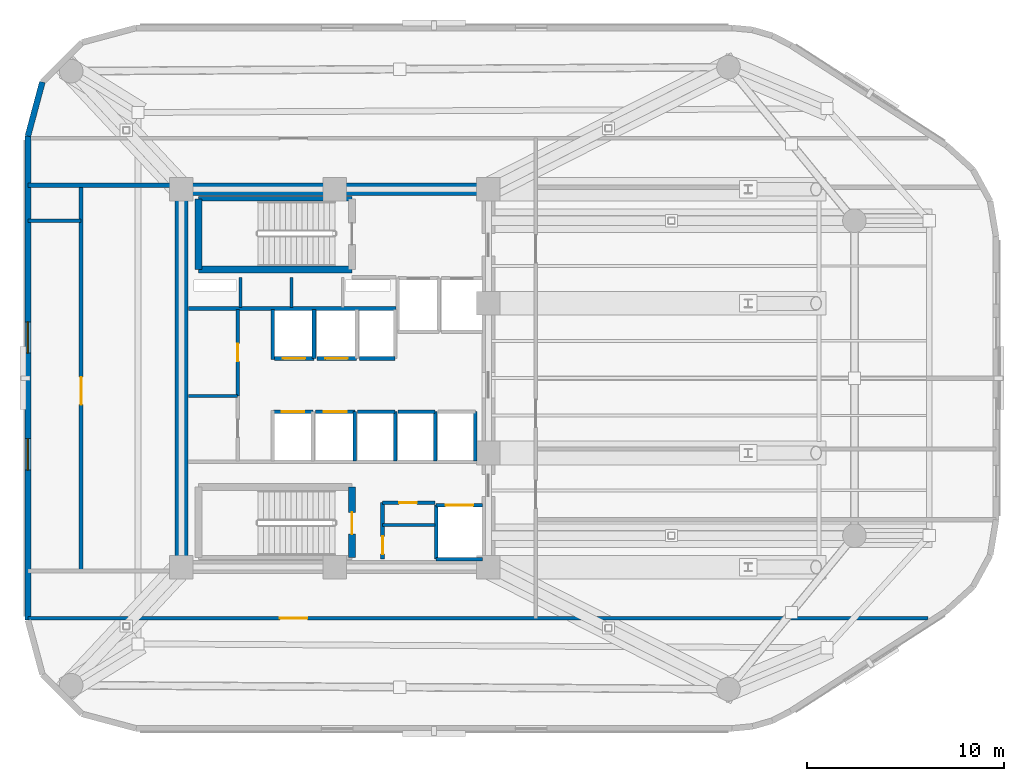
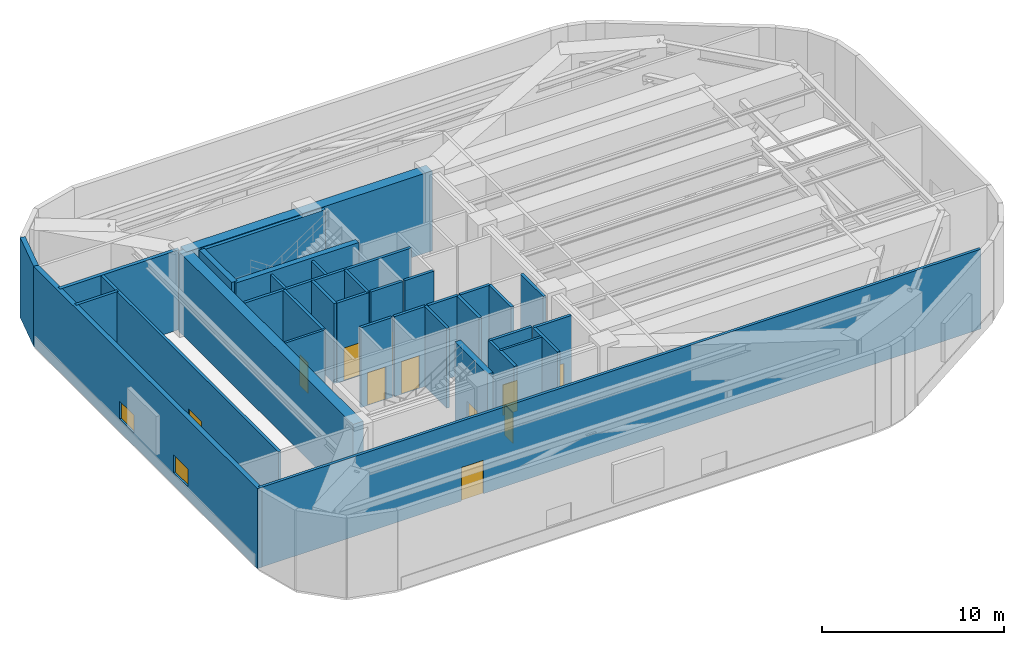
# One storey, part 5 of 9: 36 walls, 11 doors, 2 windows, 13 openings.
"""IFC4 building model written with IfcOpenShell, lengths in metres."""

from ifc_helpers import new_model, si_unit, direction, frame, frame_2d, origin, place, context, subcontext, project, spatial, rectangle, extrude, material, layer, layer_set, type_object, element, fill, save


model = new_model("IFC4")

# Units and contexts
model_context = context("Model", 3, precision=1e-05, world=origin(), true_north=direction((0.0, 1.0)))
body_context = subcontext(model_context, "Body", "Model", "MODEL_VIEW")
ifc_project = project(units=[si_unit("LENGTHUNIT", "METRE"), si_unit("AREAUNIT", "SQUARE_METRE"), si_unit("VOLUMEUNIT", "CUBIC_METRE"), si_unit("PLANEANGLEUNIT", "RADIAN"), si_unit("MASSUNIT", "GRAM", prefix="KILO")], contexts=[model_context])

# Site, building, storey
site_placement = place(None, origin())
site = spatial("IfcSite", under=ifc_project, at=site_placement, CompositionType="ELEMENT")
building_placement = place(site_placement, origin())
building = spatial("IfcBuilding", under=site, at=building_placement, Name="An Khanh Terracotta Commons", CompositionType="ELEMENT")
storey_placement = place(building_placement, frame((0.0, 0.0, 190.60009765625)))
storey = spatial("IfcBuildingStorey", under=building, at=storey_placement, Name="L50", CompositionType="ELEMENT", Elevation=190.60009765625)

# Walls
ifc_material_1 = material(Name="Concrete C60/75", Category="concrete")
ifc_layer_1 = layer(ifc_material_1, 0.64990234375, Name="Concrete C60/75")
ifc_layer_set_1 = layer_set([ifc_layer_1], Name="Concrete C60/75")
wall_type_1 = type_object("IfcWallType", Name="WALL-CORE-650", PredefinedType="SHEAR", material=ifc_layer_set_1)
wall_1_placement = place(storey_placement, frame((21.60009765625, 14.39990234375, 0.0), z_axis=(0.0, 0.0, 1.0), x_axis=(0.0, 1.0, 0.0)))
element("IfcWall", 1, at=wall_1_placement, inside=storey, type_object=wall_type_1, Name="L50 Core Wall CWALL-L50-W", PredefinedType="SHEAR", context=body_context, shape_type="SweptSolid", body=[
    extrude(rectangle(XDim=19.2001953125, YDim=0.64990234375, at=frame_2d((9.60009765625, 0.0))), origin(), (0.0, 0.0, 1.0), 5.35986328125),
])
wall_2_placement = place(storey_placement, frame((21.60009765625, 33.60009765625, 0.0), z_axis=(0.0, 0.0, 1.0), x_axis=(1.0, 0.0, 0.0)))
element("IfcWall", 2, at=wall_2_placement, inside=storey, type_object=wall_type_1, Name="L50 Core Wall CWALL-L50-N", PredefinedType="SHEAR", context=body_context, shape_type="SweptSolid", body=[
    extrude(rectangle(XDim=15.599853515625, YDim=0.64990234375, at=frame_2d((7.7998046875, 0.0))), origin(), (0.0, 0.0, 1.0), 5.35986328125),
])
ifc_material_2 = material(Name="Fire-Rated Gypsum Board on Steel Stud", Category="steel")
ifc_layer_2 = layer(ifc_material_2, 0.179931640625, Name="Fire-Rated Gypsum Board on Steel Stud")
ifc_layer_set_2 = layer_set([ifc_layer_2], Name="Fire-Rated Gypsum Board on Steel Stud")
wall_type_2 = type_object("IfcWallType", Name="WALL-CORR-180", PredefinedType="PARTITIONING", material=ifc_layer_set_2)
wall_3_placement = place(storey_placement, frame((21.949951171875, 27.5400390625, 0.0), z_axis=(0.0, 0.0, 1.0), x_axis=(1.0, 0.0, 0.0)))
element("IfcWall", 3, at=wall_3_placement, inside=storey, type_object=wall_type_2, Name="L50 Core Wall RSRW-L50-S", PredefinedType="PARTITIONING", context=body_context, shape_type="SweptSolid", body=[
    extrude(rectangle(XDim=10.56005859375, YDim=0.179931640625, at=frame_2d((5.280029296875, 0.0))), origin(), (0.0, 0.0, 1.0), 5.35986328125),
])

# Wall, opening, door
wall_4_placement = place(storey_placement, frame((31.820068359375, 17.679931640625, 0.0), z_axis=(0.0, 0.0, 1.0), x_axis=(1.0, 0.0, 0.0)))
wall_4 = element("IfcWall", 4, at=wall_4_placement, inside=storey, type_object=wall_type_2, Name="L50 Core Wall SSVCW-L50-N", PredefinedType="PARTITIONING", context=body_context, shape_type="SweptSolid", body=[
    extrude(rectangle(XDim=2.659912109375, YDim=0.179931640625, at=frame_2d((1.330078125, 0.0))), origin(), (0.0, 0.0, 1.0), 5.35986328125),
])
opening_1_placement = place(wall_4_placement, frame((0.85009765625, 0.0, 0.0)))
opening_1 = element("IfcOpeningElement", 5, at=opening_1_placement, cuts=wall_4, Name="Opening D-SV", PredefinedType="OPENING", context=body_context, shape_type="SweptSolid", body=[
    extrude(rectangle(XDim=0.89990234375, YDim=2.050048828125, at=frame_2d((0.449951171875, 1.02490234375))), frame((0.0, 0.099853515625, 0.0), z_axis=(0.0, -1.0, 0.0), x_axis=(1.0, 0.0, 0.0)), (0.0, 0.0, 1.0), 0.199951171875),
])
ifc_material_3 = material(Name="Fire-Rated Powder-Coated Steel Door", Category="steel")
door_type_1 = type_object("IfcDoorType", Name="DOOR-SERV-900", OperationType="NOTDEFINED", PredefinedType="DOOR", material=ifc_material_3)
door_1_placement = place(opening_1_placement, origin())
door_1 = element("IfcDoor", 6, at=door_1_placement, inside=storey, type_object=door_type_1, Name="L50 Refuge Fire-Pump Equipment Plant Room Door", OperationType="SINGLE_SWING_RIGHT", OverallHeight=2.050048828125, OverallWidth=0.89990234375, PredefinedType="DOOR", context=body_context, shape_type="SweptSolid", body=[
    extrude(rectangle(XDim=0.89990234375, YDim=2.050048828125, at=frame_2d((0.449951171875, 1.02490234375))), frame((0.0, 0.02490234375, 0.0), z_axis=(0.0, -1.0, 0.0), x_axis=(1.0, 0.0, 0.0)), (0.0, 0.0, 1.0), 0.050048828125),
])
fill(opening_1, door_1)

wall_5_placement = place(storey_placement, frame((31.820068359375, 14.800048828125, 0.0), z_axis=(0.0, 0.0, 1.0), x_axis=(0.0, 1.0, 0.0)))
wall_5 = element("IfcWall", 7, at=wall_5_placement, inside=storey, type_object=wall_type_2, Name="L50 Core Wall SSVCW-L50-W", PredefinedType="PARTITIONING", context=body_context, shape_type="SweptSolid", body=[
    extrude(rectangle(XDim=2.8798828125, YDim=0.179931640625, at=frame_2d((1.43994140625, 0.0))), origin(), (0.0, 0.0, 1.0), 5.35986328125),
])
opening_2_placement = place(wall_5_placement, frame((0.260009765625, 0.0, 0.0)))
opening_2 = element("IfcOpeningElement", 8, at=opening_2_placement, cuts=wall_5, Name="Opening D-SV", PredefinedType="OPENING", context=body_context, shape_type="SweptSolid", body=[
    extrude(rectangle(XDim=0.89990234375, YDim=2.050048828125, at=frame_2d((0.449951171875, 1.02490234375))), frame((0.0, 0.099853515625, 0.0), z_axis=(0.0, -1.0, 0.0), x_axis=(1.0, 0.0, 0.0)), (0.0, 0.0, 1.0), 0.199951171875),
])
door_2_placement = place(opening_2_placement, origin())
door_2 = element("IfcDoor", 9, at=door_2_placement, inside=storey, type_object=door_type_1, Name="L50 Mechanical BMS Switchroom Door", OperationType="SINGLE_SWING_LEFT", OverallHeight=2.050048828125, OverallWidth=0.89990234375, PredefinedType="DOOR", context=body_context, shape_type="SweptSolid", body=[
    extrude(rectangle(XDim=0.89990234375, YDim=2.050048828125, at=frame_2d((0.449951171875, 1.02490234375))), frame((0.0, 0.02490234375, 0.0), z_axis=(0.0, -1.0, 0.0), x_axis=(1.0, 0.0, 0.0)), (0.0, 0.0, 1.0), 0.050048828125),
])
fill(opening_2, door_2)

wall_6_placement = place(storey_placement, frame((34.550048828125, 17.550048828125, 0.0), z_axis=(0.0, 0.0, 1.0), x_axis=(1.0, 0.0, 0.0)))
wall_6 = element("IfcWall", 10, at=wall_6_placement, inside=storey, type_object=wall_type_2, Name="L50 Core Wall LSH-L50-SVL-01-N", PredefinedType="PARTITIONING", context=body_context, shape_type="SweptSolid", body=[
    extrude(rectangle(XDim=2.349853515625, YDim=0.179931640625, at=frame_2d((1.1748046875, 0.0))), origin(), (0.0, 0.0, 1.0), 5.35986328125),
])
opening_3_placement = place(wall_6_placement, frame((0.47509765625, 0.0, 0.0)))
opening_3 = element("IfcOpeningElement", 11, at=opening_3_placement, cuts=wall_6, Name="Opening LD-SVL-01-L50", PredefinedType="OPENING", context=body_context, shape_type="SweptSolid", body=[
    extrude(rectangle(XDim=1.39990234375, YDim=2.300048828125, at=frame_2d((0.699951171875, 1.14990234375))), frame((0.0, 0.099853515625, 0.0), z_axis=(0.0, -1.0, 0.0), x_axis=(1.0, 0.0, 0.0)), (0.0, 0.0, 1.0), 0.199951171875),
])
ifc_material_4 = material(Name="Heavy-Duty Stainless Steel Goods Landing Door", Category="steel")
door_type_2 = type_object("IfcDoorType", Name="DOOR-LD-SVL-1400", OperationType="NOTDEFINED", PredefinedType="DOOR", material=ifc_material_4)
door_3_placement = place(opening_3_placement, origin())
door_3 = element("IfcDoor", 12, at=door_3_placement, inside=storey, type_object=door_type_2, Name="L50 Lift SVL-01 Sliding Landing Door", OperationType="DOUBLE_DOOR_SLIDING", OverallHeight=2.300048828125, OverallWidth=1.39990234375, PredefinedType="DOOR", context=body_context, shape_type="SweptSolid", body=[
    extrude(rectangle(XDim=1.39990234375, YDim=2.300048828125, at=frame_2d((0.699951171875, 1.14990234375))), frame((0.0, 0.02490234375, 0.0), z_axis=(0.0, -1.0, 0.0), x_axis=(1.0, 0.0, 0.0)), (0.0, 0.0, 1.0), 0.050048828125),
])
fill(opening_3, door_3)

# Walls
wall_7_placement = place(storey_placement, frame((36.89990234375, 14.800048828125, 0.0), z_axis=(0.0, 0.0, 1.0), x_axis=(-1.0, 0.0, 0.0)))
element("IfcWall", 13, at=wall_7_placement, inside=storey, type_object=wall_type_2, Name="L50 Core Wall LSH-L50-SVL-01-S", PredefinedType="PARTITIONING", context=body_context, shape_type="SweptSolid", body=[
    extrude(rectangle(XDim=2.349853515625, YDim=0.179931640625, at=frame_2d((1.1748046875, 0.0))), origin(), (0.0, 0.0, 1.0), 2.94189453125),
])
wall_8_placement = place(storey_placement, frame((34.550048828125, 17.550048828125, 0.0), z_axis=(0.0, 0.0, 1.0), x_axis=(0.0, -1.0, 0.0)))
element("IfcWall", 14, at=wall_8_placement, inside=storey, type_object=wall_type_2, Name="L50 Core Wall LSH-L50-SVL-01-W", PredefinedType="PARTITIONING", context=body_context, shape_type="SweptSolid", body=[
    extrude(rectangle(XDim=2.75, YDim=0.179931640625, at=frame_2d((1.375, 0.0))), origin(), (0.0, 0.0, 1.0), 5.35986328125),
])

# Wall, opening, door
wall_9_placement = place(storey_placement, frame((28.340087890625, 25.0, 0.0), z_axis=(0.0, 0.0, 1.0), x_axis=(-1.0, 0.0, 0.0)))
wall_9 = element("IfcWall", 15, at=wall_9_placement, inside=storey, type_object=wall_type_2, Name="L50 Core Wall LSH-L50-PL-M1-S", PredefinedType="PARTITIONING", context=body_context, shape_type="SweptSolid", body=[
    extrude(rectangle(XDim=2.02001953125, YDim=0.179931640625, at=frame_2d((1.010009765625, 0.0))), origin(), (0.0, 0.0, 1.0), 5.35986328125),
])
opening_4_placement = place(wall_9_placement, frame((0.43505859375, 0.0, 0.0)))
opening_4 = element("IfcOpeningElement", 16, at=opening_4_placement, cuts=wall_9, Name="Opening LD-PL-M1-L50", PredefinedType="OPENING", context=body_context, shape_type="SweptSolid", body=[
    extrude(rectangle(XDim=1.14990234375, YDim=2.199951171875, at=frame_2d((0.574951171875, 1.10009765625))), frame((0.0, 0.099853515625, 0.0), z_axis=(0.0, -1.0, 0.0), x_axis=(1.0, 0.0, 0.0)), (0.0, 0.0, 1.0), 0.199951171875),
])
ifc_material_5 = material(Name="Brushed Stainless Steel Passenger Landing Door", Category="steel")
door_type_3 = type_object("IfcDoorType", Name="DOOR-LD-PAX-1150", OperationType="NOTDEFINED", PredefinedType="DOOR", material=ifc_material_5)
door_4_placement = place(opening_4_placement, origin())
door_4 = element("IfcDoor", 17, at=door_4_placement, inside=storey, type_object=door_type_3, Name="L50 Lift PL-M1 Sliding Landing Door", OperationType="DOUBLE_DOOR_SLIDING", OverallHeight=2.199951171875, OverallWidth=1.14990234375, PredefinedType="DOOR", context=body_context, shape_type="SweptSolid", body=[
    extrude(rectangle(XDim=1.14990234375, YDim=2.199951171875, at=frame_2d((0.574951171875, 1.10009765625))), frame((0.0, 0.02490234375, 0.0), z_axis=(0.0, -1.0, 0.0), x_axis=(1.0, 0.0, 0.0)), (0.0, 0.0, 1.0), 0.050048828125),
])
fill(opening_4, door_4)

# Wall
wall_10_placement = place(storey_placement, frame((28.340087890625, 25.0, 0.0), z_axis=(0.0, 0.0, 1.0), x_axis=(0.0, 1.0, 0.0)))
element("IfcWall", 18, at=wall_10_placement, inside=storey, type_object=wall_type_2, Name="L50 Core Wall LSH-L50-PL-M1-E", PredefinedType="PARTITIONING", context=body_context, shape_type="SweptSolid", body=[
    extrude(rectangle(XDim=2.5, YDim=0.179931640625, at=frame_2d((1.25, 0.0))), origin(), (0.0, 0.0, 1.0), 5.35986328125),
])

# Wall, opening, door
wall_11_placement = place(storey_placement, frame((30.5, 25.0, 0.0), z_axis=(0.0, 0.0, 1.0), x_axis=(-1.0, 0.0, 0.0)))
wall_11 = element("IfcWall", 19, at=wall_11_placement, inside=storey, type_object=wall_type_2, Name="L50 Core Wall LSH-L50-PL-M2-S", PredefinedType="PARTITIONING", context=body_context, shape_type="SweptSolid", body=[
    extrude(rectangle(XDim=2.02001953125, YDim=0.179931640625, at=frame_2d((1.010009765625, 0.0))), origin(), (0.0, 0.0, 1.0), 5.35986328125),
])
opening_5_placement = place(wall_11_placement, frame((0.43505859375, 0.0, 0.0)))
opening_5 = element("IfcOpeningElement", 20, at=opening_5_placement, cuts=wall_11, Name="Opening LD-PL-M2-L50", PredefinedType="OPENING", context=body_context, shape_type="SweptSolid", body=[
    extrude(rectangle(XDim=1.14990234375, YDim=2.199951171875, at=frame_2d((0.574951171875, 1.10009765625))), frame((0.0, 0.099853515625, 0.0), z_axis=(0.0, -1.0, 0.0), x_axis=(1.0, 0.0, 0.0)), (0.0, 0.0, 1.0), 0.199951171875),
])
door_5_placement = place(opening_5_placement, origin())
door_5 = element("IfcDoor", 21, at=door_5_placement, inside=storey, type_object=door_type_3, Name="L50 Lift PL-M2 Sliding Landing Door", OperationType="DOUBLE_DOOR_SLIDING", OverallHeight=2.199951171875, OverallWidth=1.14990234375, PredefinedType="DOOR", context=body_context, shape_type="SweptSolid", body=[
    extrude(rectangle(XDim=1.14990234375, YDim=2.199951171875, at=frame_2d((0.574951171875, 1.10009765625))), frame((0.0, 0.02490234375, 0.0), z_axis=(0.0, -1.0, 0.0), x_axis=(1.0, 0.0, 0.0)), (0.0, 0.0, 1.0), 0.050048828125),
])
fill(opening_5, door_5)

wall_12_placement = place(storey_placement, frame((26.280029296875, 22.300048828125, 0.0), z_axis=(0.0, 0.0, 1.0), x_axis=(1.0, 0.0, 0.0)))
wall_12 = element("IfcWall", 22, at=wall_12_placement, inside=storey, type_object=wall_type_2, Name="L50 Core Wall LSH-L50-PL-M3-N", PredefinedType="PARTITIONING", context=body_context, shape_type="SweptSolid", body=[
    extrude(rectangle(XDim=2.0, YDim=0.179931640625, at=frame_2d((1.0, 0.0))), origin(), (0.0, 0.0, 1.0), 5.35986328125),
])
opening_6_placement = place(wall_12_placement, frame((0.425048828125, 0.0, 0.0)))
opening_6 = element("IfcOpeningElement", 23, at=opening_6_placement, cuts=wall_12, Name="Opening LD-PL-M3-L50", PredefinedType="OPENING", context=body_context, shape_type="SweptSolid", body=[
    extrude(rectangle(XDim=1.14990234375, YDim=2.199951171875, at=frame_2d((0.574951171875, 1.10009765625))), frame((0.0, 0.099853515625, 0.0), z_axis=(0.0, -1.0, 0.0), x_axis=(1.0, 0.0, 0.0)), (0.0, 0.0, 1.0), 0.199951171875),
])
door_6_placement = place(opening_6_placement, origin())
door_6 = element("IfcDoor", 24, at=door_6_placement, inside=storey, type_object=door_type_3, Name="L50 Lift PL-M3 Sliding Landing Door", OperationType="DOUBLE_DOOR_SLIDING", OverallHeight=2.199951171875, OverallWidth=1.14990234375, PredefinedType="DOOR", context=body_context, shape_type="SweptSolid", body=[
    extrude(rectangle(XDim=1.14990234375, YDim=2.199951171875, at=frame_2d((0.574951171875, 1.10009765625))), frame((0.0, 0.02490234375, 0.0), z_axis=(0.0, -1.0, 0.0), x_axis=(1.0, 0.0, 0.0)), (0.0, 0.0, 1.0), 0.050048828125),
])
fill(opening_6, door_6)

wall_13_placement = place(storey_placement, frame((28.419921875, 22.300048828125, 0.0), z_axis=(0.0, 0.0, 1.0), x_axis=(1.0, 0.0, 0.0)))
wall_13 = element("IfcWall", 25, at=wall_13_placement, inside=storey, type_object=wall_type_2, Name="L50 Core Wall LSH-L50-PL-M4-N", PredefinedType="PARTITIONING", context=body_context, shape_type="SweptSolid", body=[
    extrude(rectangle(XDim=2.0, YDim=0.179931640625, at=frame_2d((1.0, 0.0))), origin(), (0.0, 0.0, 1.0), 5.35986328125),
])
opening_7_placement = place(wall_13_placement, frame((0.425048828125, 0.0, 0.0)))
opening_7 = element("IfcOpeningElement", 26, at=opening_7_placement, cuts=wall_13, Name="Opening LD-PL-M4-L50", PredefinedType="OPENING", context=body_context, shape_type="SweptSolid", body=[
    extrude(rectangle(XDim=1.14990234375, YDim=2.199951171875, at=frame_2d((0.574951171875, 1.10009765625))), frame((0.0, 0.099853515625, 0.0), z_axis=(0.0, -1.0, 0.0), x_axis=(1.0, 0.0, 0.0)), (0.0, 0.0, 1.0), 0.199951171875),
])
door_7_placement = place(opening_7_placement, origin())
door_7 = element("IfcDoor", 27, at=door_7_placement, inside=storey, type_object=door_type_3, Name="L50 Lift PL-M4 Sliding Landing Door", OperationType="DOUBLE_DOOR_SLIDING", OverallHeight=2.199951171875, OverallWidth=1.14990234375, PredefinedType="DOOR", context=body_context, shape_type="SweptSolid", body=[
    extrude(rectangle(XDim=1.14990234375, YDim=2.199951171875, at=frame_2d((0.574951171875, 1.10009765625))), frame((0.0, 0.02490234375, 0.0), z_axis=(0.0, -1.0, 0.0), x_axis=(1.0, 0.0, 0.0)), (0.0, 0.0, 1.0), 0.050048828125),
])
fill(opening_7, door_7)

# Walls
wall_14_placement = place(storey_placement, frame((30.419921875, 19.800048828125, 0.0), z_axis=(0.0, 0.0, 1.0), x_axis=(0.0, 1.0, 0.0)))
element("IfcWall", 28, at=wall_14_placement, inside=storey, type_object=wall_type_2, Name="L50 Core Wall LSH-L50-PL-M4-E", PredefinedType="PARTITIONING", context=body_context, shape_type="SweptSolid", body=[
    extrude(rectangle(XDim=2.5, YDim=0.179931640625, at=frame_2d((1.25, 0.0))), origin(), (0.0, 0.0, 1.0), 5.35986328125),
])
wall_15_placement = place(storey_placement, frame((32.4599609375, 25.0, 0.0), z_axis=(0.0, 0.0, 1.0), x_axis=(-1.0, 0.0, 0.0)))
element("IfcWall", 29, at=wall_15_placement, inside=storey, type_object=wall_type_2, Name="L50 Core Wall LSH-L50-PL-H1-S", PredefinedType="PARTITIONING", context=body_context, shape_type="SweptSolid", body=[
    extrude(rectangle(XDim=1.820068359375, YDim=0.179931640625, at=frame_2d((0.91015625, 0.0))), origin(), (0.0, 0.0, 1.0), 5.35986328125),
])
wall_16_placement = place(storey_placement, frame((30.56005859375, 22.300048828125, 0.0), z_axis=(0.0, 0.0, 1.0), x_axis=(1.0, 0.0, 0.0)))
element("IfcWall", 30, at=wall_16_placement, inside=storey, type_object=wall_type_2, Name="L50 Core Wall LSH-L50-PL-H2-N", PredefinedType="PARTITIONING", context=body_context, shape_type="SweptSolid", body=[
    extrude(rectangle(XDim=1.89990234375, YDim=0.179931640625, at=frame_2d((0.949951171875, 0.0))), origin(), (0.0, 0.0, 1.0), 5.35986328125),
])
wall_17_placement = place(storey_placement, frame((32.4599609375, 19.800048828125, 0.0), z_axis=(0.0, 0.0, 1.0), x_axis=(0.0, 1.0, 0.0)))
element("IfcWall", 31, at=wall_17_placement, inside=storey, type_object=wall_type_2, Name="L50 Core Wall LSH-L50-PL-H2-E", PredefinedType="PARTITIONING", context=body_context, shape_type="SweptSolid", body=[
    extrude(rectangle(XDim=2.5, YDim=0.179931640625, at=frame_2d((1.25, 0.0))), origin(), (0.0, 0.0, 1.0), 5.35986328125),
])
wall_18_placement = place(storey_placement, frame((32.60009765625, 22.300048828125, 0.0), z_axis=(0.0, 0.0, 1.0), x_axis=(1.0, 0.0, 0.0)))
element("IfcWall", 32, at=wall_18_placement, inside=storey, type_object=wall_type_2, Name="L50 Core Wall LSH-L50-PL-H3-N", PredefinedType="PARTITIONING", context=body_context, shape_type="SweptSolid", body=[
    extrude(rectangle(XDim=1.89990234375, YDim=0.179931640625, at=frame_2d((0.949951171875, 0.0))), origin(), (0.0, 0.0, 1.0), 5.35986328125),
])
for number, where, z_axis, x_axis, name in (
    (33, (34.5, 19.800048828125, 0.0), (0.0, 0.0, 1.0), (0.0, 1.0, 0.0), "L50 Core Wall LSH-L50-PL-H3-E"),
    (34, (36.5400390625, 19.800048828125, 0.0), (0.0, 0.0, 1.0), (0.0, 1.0, 0.0), "L50 Core Wall LSH-L50-PL-H4-E"),
):
    element("IfcWall", number, at=place(storey_placement, frame(where, z_axis=z_axis, x_axis=x_axis)), inside=storey, type_object=wall_type_2, Name=name, PredefinedType="PARTITIONING", context=body_context, shape_type="SweptSolid", body=[
        extrude(rectangle(XDim=2.5, YDim=0.179931640625, at=frame_2d((1.25, 0.0))), origin(), (0.0, 0.0, 1.0), 5.35986328125),
    ])

# Wall, opening, door
wall_19_placement = place(storey_placement, frame((24.4599609375, 23.10009765625, 0.0), z_axis=(0.0, 0.0, 1.0), x_axis=(0.0, 1.0, 0.0)))
wall_19 = element("IfcWall", 35, at=wall_19_placement, inside=storey, type_object=wall_type_2, Name="L50 Core Wall RECW-L50-E1", PredefinedType="PARTITIONING", context=body_context, shape_type="SweptSolid", body=[
    extrude(rectangle(XDim=4.39990234375, YDim=0.179931640625, at=frame_2d((2.199951171875, 0.0))), origin(), (0.0, 0.0, 1.0), 5.35986328125),
])
opening_8_placement = place(wall_19_placement, frame((1.75, 0.0, 0.0)))
opening_8 = element("IfcOpeningElement", 36, at=opening_8_placement, cuts=wall_19, Name="Opening D-SV", PredefinedType="OPENING", context=body_context, shape_type="SweptSolid", body=[
    extrude(rectangle(XDim=0.89990234375, YDim=2.050048828125, at=frame_2d((0.449951171875, 1.02490234375))), frame((0.0, 0.099853515625, 0.0), z_axis=(0.0, -1.0, 0.0), x_axis=(1.0, 0.0, 0.0)), (0.0, 0.0, 1.0), 0.199951171875),
])
door_8_placement = place(opening_8_placement, origin())
door_8 = element("IfcDoor", 37, at=door_8_placement, inside=storey, type_object=door_type_1, Name="L50 Mechanical Smoke-Control Fan Plant Room Door", OperationType="SINGLE_SWING_RIGHT", OverallHeight=2.050048828125, OverallWidth=0.89990234375, PredefinedType="DOOR", context=body_context, shape_type="SweptSolid", body=[
    extrude(rectangle(XDim=0.89990234375, YDim=2.050048828125, at=frame_2d((0.449951171875, 1.02490234375))), frame((0.0, 0.02490234375, 0.0), z_axis=(0.0, -1.0, 0.0), x_axis=(1.0, 0.0, 0.0)), (0.0, 0.0, 1.0), 0.050048828125),
])
fill(opening_8, door_8)

# Wall
wall_20_placement = place(storey_placement, frame((26.25, 24.949951171875, 0.0), z_axis=(0.0, 0.0, 1.0), x_axis=(0.0, 1.0, 0.0)))
element("IfcWall", 38, at=wall_20_placement, inside=storey, type_object=wall_type_2, Name="L50 Core Wall RECW-L50-BE1", PredefinedType="PARTITIONING", context=body_context, shape_type="SweptSolid", body=[
    extrude(rectangle(XDim=2.550048828125, YDim=0.179931640625, at=frame_2d((1.27490234375, 0.0))), origin(), (0.0, 0.0, 1.0), 5.35986328125),
])

# Wall, opening, door
wall_21_placement = place(storey_placement, frame((13.800048828125, 11.800048828125, 0.0), z_axis=(0.0, 0.0, 1.0), x_axis=(1.0, 0.0, 0.0)))
wall_21 = element("IfcWall", 39, at=wall_21_placement, inside=storey, type_object=wall_type_2, Name="L50 Interior Partition IW-L50-E001", PredefinedType="PARTITIONING", context=body_context, shape_type="SweptSolid", body=[
    extrude(rectangle(XDim=45.75, YDim=0.179931640625, at=frame_2d((22.875, 0.0))), origin(), (0.0, 0.0, 1.0), 5.35986328125),
])
opening_9_placement = place(wall_21_placement, frame((12.800048828125, 0.0, 0.0)))
opening_9 = element("IfcOpeningElement", 40, at=opening_9_placement, cuts=wall_21, Name="Opening D-PL", PredefinedType="OPENING", context=body_context, shape_type="SweptSolid", body=[
    extrude(rectangle(XDim=1.39990234375, YDim=2.25, at=frame_2d((0.699951171875, 1.125))), frame((0.0, 0.099853515625, 0.0), z_axis=(0.0, -1.0, 0.0), x_axis=(1.0, 0.0, 0.0)), (0.0, 0.0, 1.0), 0.199951171875),
])
ifc_material_6 = material(Name="Heavy-Duty Acoustic Steel Double Plant Door", Category="steel")
door_type_4 = type_object("IfcDoorType", Name="DOOR-PLANT-1400", OperationType="NOTDEFINED", PredefinedType="DOOR", material=ifc_material_6)
door_9_placement = place(opening_9_placement, origin())
door_9 = element("IfcDoor", 41, at=door_9_placement, inside=storey, type_object=door_type_4, Name="L50 REFS South Pressurised Refuge Area Door", OperationType="DOUBLE_DOOR_SINGLE_SWING", OverallHeight=2.25, OverallWidth=1.39990234375, PredefinedType="DOOR", context=body_context, shape_type="SweptSolid", body=[
    extrude(rectangle(XDim=1.39990234375, YDim=2.25, at=frame_2d((0.699951171875, 1.125))), frame((0.0, 0.02490234375, 0.0), z_axis=(0.0, -1.0, 0.0), x_axis=(1.0, 0.0, 0.0)), (0.0, 0.0, 1.0), 0.050048828125),
])
fill(opening_9, door_9)

# Wall
wall_22_placement = place(storey_placement, frame((13.800048828125, 32.0, 0.0), z_axis=(0.0, 0.0, 1.0), x_axis=(1.0, 0.0, 0.0)))
element("IfcWall", 42, at=wall_22_placement, inside=storey, type_object=wall_type_2, Name="L50 Interior Partition IW-L50-E006", PredefinedType="PARTITIONING", context=body_context, shape_type="SweptSolid", body=[
    extrude(rectangle(XDim=2.699951171875, YDim=0.179931640625, at=frame_2d((1.35009765625, 0.0))), origin(), (0.0, 0.0, 1.0), 5.35986328125),
])

# Wall, opening, door
wall_23_placement = place(storey_placement, frame((16.5, 14.199951171875, 0.0), z_axis=(0.0, 0.0, 1.0), x_axis=(0.0, 1.0, 0.0)))
wall_23 = element("IfcWall", 43, at=wall_23_placement, inside=storey, type_object=wall_type_2, Name="L50 Interior Partition IW-L50-E010", PredefinedType="PARTITIONING", context=body_context, shape_type="SweptSolid", body=[
    extrude(rectangle(XDim=19.60009765625, YDim=0.179931640625, at=frame_2d((9.800048828125, 0.0))), origin(), (0.0, 0.0, 1.0), 5.35986328125),
])
opening_10_placement = place(wall_23_placement, frame((8.4599609375, 0.0, 0.0)))
opening_10 = element("IfcOpeningElement", 44, at=opening_10_placement, cuts=wall_23, Name="Opening D-PL", PredefinedType="OPENING", context=body_context, shape_type="SweptSolid", body=[
    extrude(rectangle(XDim=1.39990234375, YDim=2.25, at=frame_2d((0.699951171875, 1.125))), frame((0.0, 0.099853515625, 0.0), z_axis=(0.0, -1.0, 0.0), x_axis=(1.0, 0.0, 0.0)), (0.0, 0.0, 1.0), 0.199951171875),
])
door_10_placement = place(opening_10_placement, origin())
door_10 = element("IfcDoor", 45, at=door_10_placement, inside=storey, type_object=door_type_4, Name="L50 TNK Fire Water Break Tank Plant Room Door", OperationType="DOUBLE_DOOR_SINGLE_SWING", OverallHeight=2.25, OverallWidth=1.39990234375, PredefinedType="DOOR", context=body_context, shape_type="SweptSolid", body=[
    extrude(rectangle(XDim=1.39990234375, YDim=2.25, at=frame_2d((0.699951171875, 1.125))), frame((0.0, 0.02490234375, 0.0), z_axis=(0.0, -1.0, 0.0), x_axis=(1.0, 0.0, 0.0)), (0.0, 0.0, 1.0), 0.050048828125),
])
fill(opening_10, door_10)

# Wall
ifc_material_7 = material(Name="Precast concrete C40/50", Category="concrete")
ifc_layer_3 = layer(ifc_material_7, 0.300048828125, Name="Precast concrete C40/50")
ifc_layer_set_3 = layer_set([ifc_layer_3], Name="Precast concrete C40/50")
wall_type_3 = type_object("IfcWallType", Name="WALL-EXT-300", PredefinedType="SOLIDWALL", material=ifc_layer_set_3)
wall_24_placement = place(storey_placement, frame((14.537109375, 39.050048828125, 0.0), z_axis=(0.0, 0.0, 1.0), x_axis=(-0.258884674387, -0.965908238586, 0.0)))
element("IfcWall", 46, at=wall_24_placement, inside=storey, type_object=wall_type_3, Name="L50 Insulated Terracotta Exterior Wall 23", PredefinedType="SOLIDWALL", context=body_context, shape_type="SweptSolid", body=[
    extrude(rectangle(XDim=2.84716796875, YDim=0.300048828125, at=frame_2d((1.423583984375, 0.0))), origin(), (0.0, 0.0, 1.0), 5.35986328125),
])

# Wall, openings, windows
wall_25_placement = place(storey_placement, frame((13.800048828125, 36.300048828125, 0.0), z_axis=(0.0, 0.0, 1.0), x_axis=(0.0, -1.0, 0.0)))
wall_25 = element("IfcWall", 47, at=wall_25_placement, inside=storey, type_object=wall_type_3, Name="L50 Insulated Terracotta Exterior Wall 24", PredefinedType="SOLIDWALL", context=body_context, shape_type="SweptSolid", body=[
    extrude(rectangle(XDim=24.60009765625, YDim=0.300048828125, at=frame_2d((12.300048828125, 0.0))), origin(), (0.0, 0.0, 1.0), 5.35986328125),
])
opening_11_placement = place(wall_25_placement, frame((9.43310546875, 0.0, 0.85009765625)))
opening_11 = element("IfcOpeningElement", 48, at=opening_11_placement, cuts=wall_25, Name="Opening W-12", PredefinedType="OPENING", context=body_context, shape_type="SweptSolid", body=[
    extrude(rectangle(XDim=1.60009765625, YDim=1.199951171875, at=frame_2d((0.800048828125, 0.60009765625))), frame((0.0, 0.159912109375, 0.0), z_axis=(0.0, -1.0, 0.0), x_axis=(1.0, 0.0, 0.0)), (0.0, 0.0, 1.0), 0.320068359375),
])
opening_12_placement = place(wall_25_placement, frame((15.366943359375, 0.0, 0.85009765625)))
opening_12 = element("IfcOpeningElement", 49, at=opening_12_placement, cuts=wall_25, Name="Opening W-12", PredefinedType="OPENING", context=body_context, shape_type="SweptSolid", body=[
    extrude(rectangle(XDim=1.60009765625, YDim=1.199951171875, at=frame_2d((0.800048828125, 0.60009765625))), frame((0.0, 0.159912109375, 0.0), z_axis=(0.0, -1.0, 0.0), x_axis=(1.0, 0.0, 0.0)), (0.0, 0.0, 1.0), 0.320068359375),
])
ifc_material_8 = material(Name="Thermally Broken Aluminium and Low-E Glass", Category="aluminium")
window_type = type_object("IfcWindowType", Name="WIN-REF-1600x1200", PartitioningType="DOUBLE_PANEL_VERTICAL", PredefinedType="WINDOW", material=ifc_material_8)
window_1_placement = place(opening_11_placement, origin())
window_1 = element("IfcWindow", 50, at=window_1_placement, inside=storey, type_object=window_type, Name="L50 Operable Casement Window 24.1", OverallHeight=1.199951171875, OverallWidth=1.60009765625, PartitioningType="DOUBLE_PANEL_VERTICAL", PredefinedType="WINDOW", context=body_context, shape_type="SweptSolid", body=[
    extrude(rectangle(XDim=1.60009765625, YDim=1.199951171875, at=frame_2d((0.800048828125, 0.60009765625))), frame((0.0, 0.030029296875, 0.0), z_axis=(0.0, -1.0, 0.0), x_axis=(1.0, 0.0, 0.0)), (0.0, 0.0, 1.0), 0.06005859375),
])
fill(opening_11, window_1)
window_2_placement = place(opening_12_placement, origin())
window_2 = element("IfcWindow", 51, at=window_2_placement, inside=storey, type_object=window_type, Name="L50 Operable Casement Window 24.2", OverallHeight=1.199951171875, OverallWidth=1.60009765625, PartitioningType="DOUBLE_PANEL_VERTICAL", PredefinedType="WINDOW", context=body_context, shape_type="SweptSolid", body=[
    extrude(rectangle(XDim=1.60009765625, YDim=1.199951171875, at=frame_2d((0.800048828125, 0.60009765625))), frame((0.0, 0.030029296875, 0.0), z_axis=(0.0, -1.0, 0.0), x_axis=(1.0, 0.0, 0.0)), (0.0, 0.0, 1.0), 0.06005859375),
])
fill(opening_12, window_2)

# Walls
ifc_material_9 = material(Name="Acoustic Gypsum Board Partition")
ifc_layer_4 = layer(ifc_material_9, 0.14990234375, Name="Acoustic Gypsum Board Partition")
ifc_layer_set_4 = layer_set([ifc_layer_4], Name="Acoustic Gypsum Board Partition")
wall_type_4 = type_object("IfcWallType", Name="WALL-PART-150", PredefinedType="PARTITIONING", material=ifc_layer_set_4)
for number, where, z_axis, x_axis, name in (
    (52, (24.60009765625, 27.60009765625, 0.0), (0.0, 0.0, 1.0), (0.0, 1.0, 0.0), "L50 Core Wall RSRW-L50-D1"),
    (53, (27.199951171875, 27.60009765625, 0.0), (0.0, 0.0, 1.0), (0.0, 1.0, 0.0), "L50 Core Wall RSRW-L50-D2"),
):
    element("IfcWall", number, at=place(storey_placement, frame(where, z_axis=z_axis, x_axis=x_axis)), inside=storey, type_object=wall_type_4, Name=name, PredefinedType="PARTITIONING", context=body_context, shape_type="SweptSolid", body=[
        extrude(rectangle(XDim=1.52001953125, YDim=0.14990234375, at=frame_2d((0.760009765625, 0.0))), origin(), (0.0, 0.0, 1.0), 5.35986328125),
    ])
wall_26_placement = place(storey_placement, frame((31.820068359375, 16.550048828125, 0.0), z_axis=(0.0, 0.0, 1.0), x_axis=(1.0, 0.0, 0.0)))
element("IfcWall", 54, at=wall_26_placement, inside=storey, type_object=wall_type_4, Name="L50 Core Wall SSVCW-L50-M", PredefinedType="PARTITIONING", context=body_context, shape_type="SweptSolid", body=[
    extrude(rectangle(XDim=2.659912109375, YDim=0.14990234375, at=frame_2d((1.330078125, 0.0))), origin(), (0.0, 0.0, 1.0), 5.35986328125),
])
wall_27_placement = place(storey_placement, frame((21.949951171875, 23.10009765625, 0.0), z_axis=(0.0, 0.0, 1.0), x_axis=(1.0, 0.0, 0.0)))
element("IfcWall", 55, at=wall_27_placement, inside=storey, type_object=wall_type_4, Name="L50 Core Wall RECW-L50-M", PredefinedType="PARTITIONING", context=body_context, shape_type="SweptSolid", body=[
    extrude(rectangle(XDim=2.510009765625, YDim=0.14990234375, at=frame_2d((1.2548828125, 0.0))), origin(), (0.0, 0.0, 1.0), 5.35986328125),
])
ifc_material_10 = material(Name="Acoustic Double-Stud Gypsum and Mineral Wool")
ifc_layer_5 = layer(ifc_material_10, 0.219970703125, Name="Acoustic Double-Stud Gypsum and Mineral Wool")
ifc_layer_set_5 = layer_set([ifc_layer_5], Name="Acoustic Double-Stud Gypsum and Mineral Wool")
wall_type_5 = type_object("IfcWallType", Name="WALL-PARTY-220", PredefinedType="PARTITIONING", material=ifc_layer_set_5)
wall_28_placement = place(storey_placement, frame((22.47998046875, 33.110107421875, 0.0), z_axis=(0.0, 0.0, 1.0), x_axis=(1.0, 0.0, 0.0)))
element("IfcWall", 56, at=wall_28_placement, inside=storey, type_object=wall_type_5, Name="L50 Core Wall STW-L50-N-N", PredefinedType="PARTITIONING", context=body_context, shape_type="SweptSolid", body=[
    extrude(rectangle(XDim=7.7900390625, YDim=0.219970703125, at=frame_2d((3.89501953125, 0.0))), origin(), (0.0, 0.0, 1.0), 5.35986328125),
])
wall_29_placement = place(storey_placement, frame((13.800048828125, 33.800048828125, 0.0), z_axis=(0.0, 0.0, 1.0), x_axis=(1.0, 0.0, 0.0)))
element("IfcWall", 57, at=wall_29_placement, inside=storey, type_object=wall_type_5, Name="L50 Interior Partition IW-L50-E008", PredefinedType="PARTITIONING", context=body_context, shape_type="SweptSolid", body=[
    extrude(rectangle(XDim=7.599853515625, YDim=0.219970703125, at=frame_2d((3.7998046875, 0.0))), origin(), (0.0, 0.0, 1.0), 5.35986328125),
])
ifc_material_11 = material(Name="Concrete C50/60", Category="concrete")
ifc_layer_6 = layer(ifc_material_11, 0.35009765625, Name="Concrete C50/60")
ifc_layer_set_6 = layer_set([ifc_layer_6], Name="Concrete C50/60")
wall_type_6 = type_object("IfcWallType", Name="WALL-SHAFT-350", PredefinedType="SOLIDWALL", material=ifc_layer_set_6)
wall_30_placement = place(storey_placement, frame((22.47998046875, 29.530029296875, 0.0), z_axis=(0.0, 0.0, 1.0), x_axis=(1.0, 0.0, 0.0)))
element("IfcWall", 58, at=wall_30_placement, inside=storey, type_object=wall_type_6, Name="L50 Core Wall STW-L50-N-S", PredefinedType="SOLIDWALL", context=body_context, shape_type="SweptSolid", body=[
    extrude(rectangle(XDim=7.7900390625, YDim=0.35009765625, at=frame_2d((3.89501953125, 0.0))), origin(), (0.0, 0.0, 1.0), 5.35986328125),
])
wall_31_placement = place(storey_placement, frame((22.47998046875, 29.530029296875, 0.0), z_axis=(0.0, 0.0, 1.0), x_axis=(0.0, 1.0, 0.0)))
element("IfcWall", 59, at=wall_31_placement, inside=storey, type_object=wall_type_6, Name="L50 Core Wall STW-L50-N-W", PredefinedType="SOLIDWALL", context=body_context, shape_type="SweptSolid", body=[
    extrude(rectangle(XDim=3.580078125, YDim=0.35009765625, at=frame_2d((1.7900390625, 0.0))), origin(), (0.0, 0.0, 1.0), 5.35986328125),
])

# Wall, opening, door
wall_32_placement = place(storey_placement, frame((30.27001953125, 14.889892578125, 0.0), z_axis=(0.0, 0.0, 1.0), x_axis=(0.0, 1.0, 0.0)))
wall_32 = element("IfcWall", 60, at=wall_32_placement, inside=storey, type_object=wall_type_6, Name="L50 Core Wall STW-L50-S-E", PredefinedType="SOLIDWALL", context=body_context, shape_type="SweptSolid", body=[
    extrude(rectangle(XDim=3.580078125, YDim=0.35009765625, at=frame_2d((1.7900390625, 0.0))), origin(), (0.0, 0.0, 1.0), 5.35986328125),
])
opening_13_placement = place(wall_32_placement, frame((1.18994140625, 0.0, 0.0)))
opening_13 = element("IfcOpeningElement", 61, at=opening_13_placement, cuts=wall_32, Name="Opening D-ST", PredefinedType="OPENING", context=body_context, shape_type="SweptSolid", body=[
    extrude(rectangle(XDim=1.10009765625, YDim=2.14990234375, at=frame_2d((0.550048828125, 1.074951171875))), frame((0.0, 0.18505859375, 0.0), z_axis=(0.0, -1.0, 0.0), x_axis=(1.0, 0.0, 0.0)), (0.0, 0.0, 1.0), 0.3701171875),
])
ifc_material_12 = material(Name="Fire-Rated Steel Leaf and Frame", Category="steel")
door_type_5 = type_object("IfcDoorType", Name="DOOR-STAIR-1100", OperationType="NOTDEFINED", PredefinedType="DOOR", material=ifc_material_12)
door_11_placement = place(opening_13_placement, origin())
door_11 = element("IfcDoor", 62, at=door_11_placement, inside=storey, type_object=door_type_5, Name="L50 Stair ST-02 Fire Door", OperationType="SINGLE_SWING_LEFT", OverallHeight=2.14990234375, OverallWidth=1.10009765625, PredefinedType="DOOR", context=body_context, shape_type="SweptSolid", body=[
    extrude(rectangle(XDim=1.10009765625, YDim=2.14990234375, at=frame_2d((0.550048828125, 1.074951171875))), frame((0.0, 0.02490234375, 0.0), z_axis=(0.0, -1.0, 0.0), x_axis=(1.0, 0.0, 0.0)), (0.0, 0.0, 1.0), 0.050048828125),
])
fill(opening_13, door_11)

save(model, "model.ifc")
